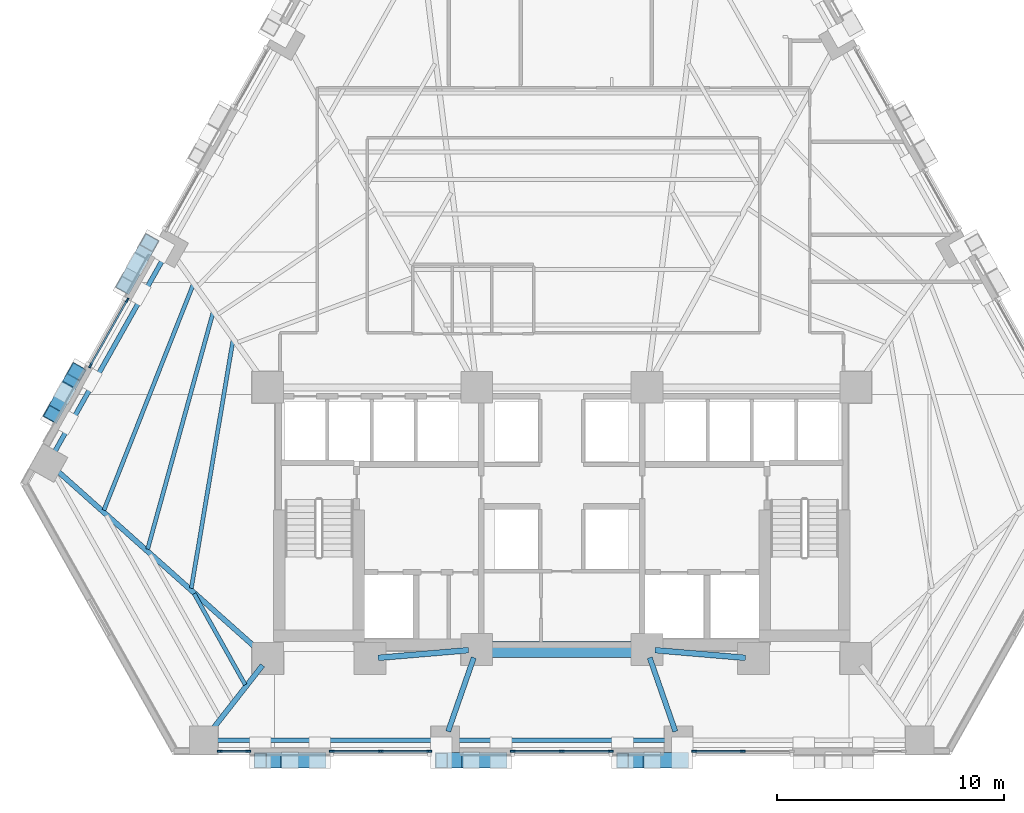
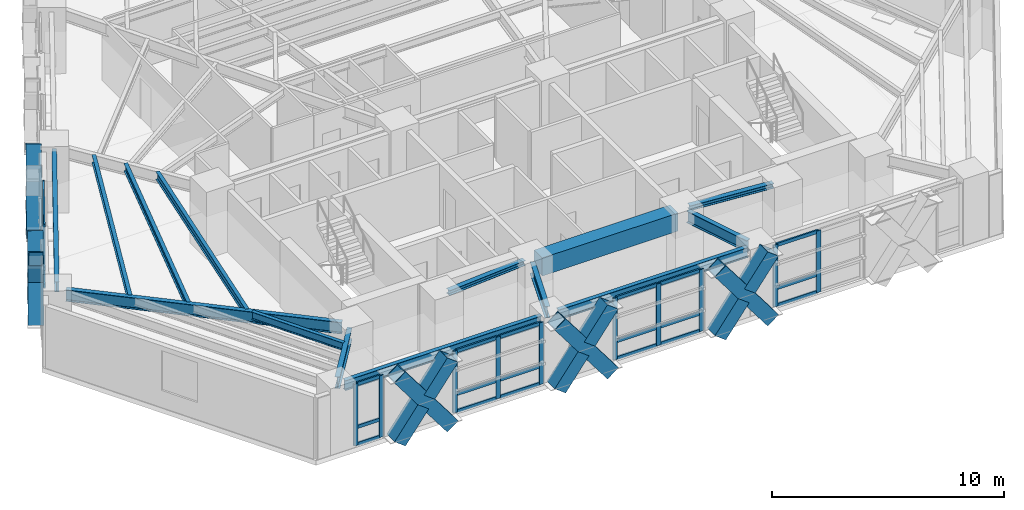
# One storey, part 2 of 13: 46 members, 14 beams, 5 elements without a shape of their own.
"""IFC4 building model written with IfcOpenShell, lengths in metres."""

from ifc_helpers import new_model, si_unit, direction, frame, origin, origin_2d, place, context, subcontext, project, spatial, rectangle, hollow_rectangle, i_section, extrude, material, material_profile, profile_set, type_object, element, aggregate, save


model = new_model("IFC4")

# Units and contexts
model_context = context("Model", 3, precision=1e-05, world=origin(), true_north=direction((0.0, 1.0)))
body_context = subcontext(model_context, "Body", "Model", "MODEL_VIEW")
ifc_project = project(units=[si_unit("LENGTHUNIT", "METRE"), si_unit("AREAUNIT", "SQUARE_METRE"), si_unit("VOLUMEUNIT", "CUBIC_METRE"), si_unit("PLANEANGLEUNIT", "RADIAN"), si_unit("MASSUNIT", "GRAM", prefix="KILO")], contexts=[model_context])

# Site, building, storey
site_placement = place(None, origin())
site = spatial("IfcSite", under=ifc_project, at=site_placement, CompositionType="ELEMENT")
building_placement = place(site_placement, origin())
building = spatial("IfcBuilding", under=site, at=building_placement, Name="Quenlor Broadcast Tower", CompositionType="ELEMENT")
storey_placement = place(building_placement, frame((0.0, 0.0, 31.10009765625)))
storey = spatial("IfcBuildingStorey", under=building, at=storey_placement, Name="L07", CompositionType="ELEMENT", Elevation=31.10009765625)

# Curtain wall, members
ifc_material_1 = material(Name="Architectural Terracotta and Low-E Glazing", Category="masonry")
curtain_wall_type = type_object("IfcCurtainWallType", Name="Unitised Terracotta Curtain Wall System Z1", PredefinedType="NOTDEFINED", material=ifc_material_1)
curtain_wall_1_placement = place(storey_placement, origin())
curtain_wall_1 = element("IfcCurtainWall", 1, at=curtain_wall_1_placement, inside=storey, type_object=curtain_wall_type, Name="L07 Curtain Wall CW1 (L07-SA-G2)", PredefinedType="NOTDEFINED")
ifc_material_2 = material(Name="Aluminium 6063-T6", Category="aluminium")
ifc_material_profile_1 = material_profile(ifc_material_2, rectangle(XDim=0.080078125, YDim=0.219970703125, at=origin_2d()))
ifc_profile_set_1 = profile_set([ifc_material_profile_1], Name="Aluminium 6063-T6 MULL80x220")
member_type_1 = type_object("IfcMemberType", Name="CW1 Aluminium Mullion MULL_CW1", PredefinedType="MULLION", material=ifc_profile_set_1)
member_1_placement = place(storey_placement, frame((7.982666015625, -20.840087890625, 0.0), z_axis=(0.0, 0.0, 1.0), x_axis=(0.0, -1.0, 0.0)))
member_1 = element("IfcMember", 2, at=member_1_placement, type_object=member_type_1, Name="CW1 mullion 2", PredefinedType="MULLION", context=body_context, shape_type="SweptSolid", body=[
    extrude(rectangle(XDim=0.080078125, YDim=0.219970703125, at=origin_2d()), origin(), (0.0, 0.0, 1.0), 3.25),
])
member_2_placement = place(storey_placement, frame((5.830810546875, -20.840087890625, 0.0), z_axis=(0.0, 0.0, 1.0), x_axis=(0.0, -1.0, 0.0)))
member_2 = element("IfcMember", 3, at=member_2_placement, type_object=member_type_1, Name="CW1 mullion 3", PredefinedType="MULLION", context=body_context, shape_type="SweptSolid", body=[
    extrude(rectangle(XDim=0.080078125, YDim=0.219970703125, at=origin_2d()), origin(), (0.0, 0.0, 1.0), 3.25),
])

curtain_wall_2_placement = place(storey_placement, origin())
curtain_wall_2 = element("IfcCurtainWall", 4, at=curtain_wall_2_placement, inside=storey, type_object=curtain_wall_type, Name="L07 Curtain Wall CW1 (L07-SC-G1)", PredefinedType="NOTDEFINED")
member_3_placement = place(storey_placement, frame((-5.830810546875, -20.840087890625, 0.0), z_axis=(0.0, 0.0, 1.0), x_axis=(0.0, -1.0, 0.0)))
member_3 = element("IfcMember", 5, at=member_3_placement, type_object=member_type_1, Name="CW1 mullion 1", PredefinedType="MULLION", context=body_context, shape_type="SweptSolid", body=[
    extrude(rectangle(XDim=0.080078125, YDim=0.219970703125, at=origin_2d()), origin(), (0.0, 0.0, 1.0), 3.25),
])
member_4_placement = place(storey_placement, frame((-7.982666015625, -20.840087890625, 0.0), z_axis=(0.0, 0.0, 1.0), x_axis=(0.0, -1.0, 0.0)))
member_4 = element("IfcMember", 6, at=member_4_placement, type_object=member_type_1, Name="CW1 mullion 2", PredefinedType="MULLION", context=body_context, shape_type="SweptSolid", body=[
    extrude(rectangle(XDim=0.080078125, YDim=0.219970703125, at=origin_2d()), origin(), (0.0, 0.0, 1.0), 3.25),
])
member_5_placement = place(storey_placement, frame((-10.134765625, -20.840087890625, 0.0), z_axis=(0.0, 0.0, 1.0), x_axis=(0.0, -1.0, 0.0)))
member_5 = element("IfcMember", 7, at=member_5_placement, type_object=member_type_1, Name="CW1 mullion 3", PredefinedType="MULLION", context=body_context, shape_type="SweptSolid", body=[
    extrude(rectangle(XDim=0.080078125, YDim=0.219970703125, at=origin_2d()), origin(), (0.0, 0.0, 1.0), 3.25),
])

curtain_wall_3_placement = place(storey_placement, origin())
curtain_wall_3 = element("IfcCurtainWall", 8, at=curtain_wall_3_placement, inside=storey, type_object=curtain_wall_type, Name="L07 Curtain Wall CW1 (L07-SC-G2)", PredefinedType="NOTDEFINED")
member_6_placement = place(storey_placement, frame((-13.806884765625, -20.840087890625, 0.0), z_axis=(0.0, 0.0, 1.0), x_axis=(0.0, -1.0, 0.0)))
member_6 = element("IfcMember", 9, at=member_6_placement, type_object=member_type_1, Name="CW1 mullion 1", PredefinedType="MULLION", context=body_context, shape_type="SweptSolid", body=[
    extrude(rectangle(XDim=0.080078125, YDim=0.219970703125, at=origin_2d()), origin(), (0.0, 0.0, 1.0), 3.25),
])
member_7_placement = place(storey_placement, frame((-15.0751953125, -20.840087890625, 0.0), z_axis=(0.0, 0.0, 1.0), x_axis=(0.0, -1.0, 0.0)))
member_7 = element("IfcMember", 10, at=member_7_placement, type_object=member_type_1, Name="CW1 mullion 2", PredefinedType="MULLION", context=body_context, shape_type="SweptSolid", body=[
    extrude(rectangle(XDim=0.080078125, YDim=0.219970703125, at=origin_2d()), origin(), (0.0, 0.0, 1.0), 3.25),
])

curtain_wall_4_placement = place(storey_placement, origin())
curtain_wall_4 = element("IfcCurtainWall", 11, at=curtain_wall_4_placement, inside=storey, type_object=curtain_wall_type, Name="L07 Curtain Wall CW1 (L07-S-G1)", PredefinedType="NOTDEFINED")
member_8_placement = place(storey_placement, frame((2.154296875, -20.840087890625, 0.0), z_axis=(0.0, 0.0, 1.0), x_axis=(0.0, -1.0, 0.0)))
member_8 = element("IfcMember", 12, at=member_8_placement, type_object=member_type_1, Name="CW1 mullion 1", PredefinedType="MULLION", context=body_context, shape_type="SweptSolid", body=[
    extrude(rectangle(XDim=0.080078125, YDim=0.219970703125, at=origin_2d()), origin(), (0.0, 0.0, 1.0), 3.25),
])
member_9_placement = place(storey_placement, frame((0.0, -20.840087890625, 0.0), z_axis=(0.0, 0.0, 1.0), x_axis=(0.0, -1.0, 0.0)))
member_9 = element("IfcMember", 13, at=member_9_placement, type_object=member_type_1, Name="CW1 mullion 2", PredefinedType="MULLION", context=body_context, shape_type="SweptSolid", body=[
    extrude(rectangle(XDim=0.080078125, YDim=0.219970703125, at=origin_2d()), origin(), (0.0, 0.0, 1.0), 3.25),
])
member_10_placement = place(storey_placement, frame((-2.154296875, -20.840087890625, 0.0), z_axis=(0.0, 0.0, 1.0), x_axis=(0.0, -1.0, 0.0)))
member_10 = element("IfcMember", 14, at=member_10_placement, type_object=member_type_1, Name="CW1 mullion 3", PredefinedType="MULLION", context=body_context, shape_type="SweptSolid", body=[
    extrude(rectangle(XDim=0.080078125, YDim=0.219970703125, at=origin_2d()), origin(), (0.0, 0.0, 1.0), 3.25),
])

curtain_wall_5_placement = place(storey_placement, origin())
curtain_wall_5 = element("IfcCurtainWall", 15, at=curtain_wall_5_placement, inside=storey, type_object=curtain_wall_type, Name="L07 Curtain Wall CW1 (L07-NWA-G1)", PredefinedType="NOTDEFINED")
member_11_placement = place(storey_placement, frame((-20.764892578125, -3.841552734375, 0.0), z_axis=(0.0, 0.0, 1.0), x_axis=(-0.871577906875, 0.49025702672, 0.0)))
member_11 = element("IfcMember", 16, at=member_11_placement, type_object=member_type_1, Name="CW1 mullion 1", PredefinedType="MULLION", context=body_context, shape_type="SweptSolid", body=[
    extrude(rectangle(XDim=0.080078125, YDim=0.219970703125, at=origin_2d()), origin(), (0.0, 0.0, 1.0), 3.25),
])
member_12_placement = place(storey_placement, frame((-19.146484375, -0.964599609375, 0.0), z_axis=(0.0, 0.0, 1.0), x_axis=(-0.871577906875, 0.49025702672, 0.0)))
member_12 = element("IfcMember", 17, at=member_12_placement, type_object=member_type_1, Name="CW1 mullion 2", PredefinedType="MULLION", context=body_context, shape_type="SweptSolid", body=[
    extrude(rectangle(XDim=0.080078125, YDim=0.219970703125, at=origin_2d()), origin(), (0.0, 0.0, 1.0), 3.25),
])

# Member
ifc_material_3 = material(Name="Aluminium 6063-T6", Category="aluminium")
ifc_material_profile_2 = material_profile(ifc_material_3, rectangle(XDim=0.080078125, YDim=0.179931640625, at=origin_2d()))
ifc_profile_set_2 = profile_set([ifc_material_profile_2], Name="Aluminium 6063-T6 TRAN80x180")
member_type_2 = type_object("IfcMemberType", Name="CW1 Aluminium Transom TRAN_CW1", PredefinedType="USERDEFINED", material=ifc_profile_set_2)
member_13_placement = place(storey_placement, frame((7.94287109375, -20.840087890625, 0.039794921875), z_axis=(-1.0, 0.0, 0.0), x_axis=(0.0, -1.0, 0.0)))
member_13 = element("IfcMember", 18, at=member_13_placement, type_object=member_type_2, Name="CW1 transom 2.1", ObjectType="TRANSOM", PredefinedType="USERDEFINED", context=body_context, shape_type="SweptSolid", body=[
    extrude(rectangle(XDim=0.080078125, YDim=0.179931640625, at=origin_2d()), origin(), (0.0, 0.0, 1.0), 2.072021484375),
])

member_14_placement = place(storey_placement, frame((7.94287109375, -20.840087890625, 0.949951171875), z_axis=(-1.0, 0.0, 0.0), x_axis=(0.0, -1.0, 0.0)))
member_14 = element("IfcMember", 19, at=member_14_placement, type_object=member_type_2, Name="CW1 transom 2.2", ObjectType="TRANSOM", PredefinedType="USERDEFINED", context=body_context, shape_type="SweptSolid", body=[
    extrude(rectangle(XDim=0.080078125, YDim=0.179931640625, at=origin_2d()), origin(), (0.0, 0.0, 1.0), 2.072021484375),
])

member_15_placement = place(storey_placement, frame((7.94287109375, -20.840087890625, 3.2099609375), z_axis=(-1.0, 0.0, 0.0), x_axis=(0.0, -1.0, 0.0)))
member_15 = element("IfcMember", 20, at=member_15_placement, type_object=member_type_2, Name="CW1 transom 2.3", ObjectType="TRANSOM", PredefinedType="USERDEFINED", context=body_context, shape_type="SweptSolid", body=[
    extrude(rectangle(XDim=0.080078125, YDim=0.179931640625, at=origin_2d()), origin(), (0.0, 0.0, 1.0), 2.072021484375),
])

aggregate(curtain_wall_1, [member_1, member_2, member_13, member_14, member_15])

member_16_placement = place(storey_placement, frame((-5.870849609375, -20.840087890625, 0.039794921875), z_axis=(-1.0, 0.0, 0.0), x_axis=(0.0, -1.0, 0.0)))
member_16 = element("IfcMember", 21, at=member_16_placement, type_object=member_type_2, Name="CW1 transom 1.1", ObjectType="TRANSOM", PredefinedType="USERDEFINED", context=body_context, shape_type="SweptSolid", body=[
    extrude(rectangle(XDim=0.080078125, YDim=0.179931640625, at=origin_2d()), origin(), (0.0, 0.0, 1.0), 2.072021484375),
])

member_17_placement = place(storey_placement, frame((-5.870849609375, -20.840087890625, 0.949951171875), z_axis=(-1.0, 0.0, 0.0), x_axis=(0.0, -1.0, 0.0)))
member_17 = element("IfcMember", 22, at=member_17_placement, type_object=member_type_2, Name="CW1 transom 1.2", ObjectType="TRANSOM", PredefinedType="USERDEFINED", context=body_context, shape_type="SweptSolid", body=[
    extrude(rectangle(XDim=0.080078125, YDim=0.179931640625, at=origin_2d()), origin(), (0.0, 0.0, 1.0), 2.072021484375),
])

member_18_placement = place(storey_placement, frame((-5.870849609375, -20.840087890625, 3.2099609375), z_axis=(-1.0, 0.0, 0.0), x_axis=(0.0, -1.0, 0.0)))
member_18 = element("IfcMember", 23, at=member_18_placement, type_object=member_type_2, Name="CW1 transom 1.3", ObjectType="TRANSOM", PredefinedType="USERDEFINED", context=body_context, shape_type="SweptSolid", body=[
    extrude(rectangle(XDim=0.080078125, YDim=0.179931640625, at=origin_2d()), origin(), (0.0, 0.0, 1.0), 2.072021484375),
])

member_19_placement = place(storey_placement, frame((-8.022705078125, -20.840087890625, 0.039794921875), z_axis=(-1.0, 0.0, 0.0), x_axis=(0.0, -1.0, 0.0)))
member_19 = element("IfcMember", 24, at=member_19_placement, type_object=member_type_2, Name="CW1 transom 2.1", ObjectType="TRANSOM", PredefinedType="USERDEFINED", context=body_context, shape_type="SweptSolid", body=[
    extrude(rectangle(XDim=0.080078125, YDim=0.179931640625, at=origin_2d()), origin(), (0.0, 0.0, 1.0), 2.072021484375),
])

member_20_placement = place(storey_placement, frame((-8.022705078125, -20.840087890625, 0.949951171875), z_axis=(-1.0, 0.0, 0.0), x_axis=(0.0, -1.0, 0.0)))
member_20 = element("IfcMember", 25, at=member_20_placement, type_object=member_type_2, Name="CW1 transom 2.2", ObjectType="TRANSOM", PredefinedType="USERDEFINED", context=body_context, shape_type="SweptSolid", body=[
    extrude(rectangle(XDim=0.080078125, YDim=0.179931640625, at=origin_2d()), origin(), (0.0, 0.0, 1.0), 2.072021484375),
])

member_21_placement = place(storey_placement, frame((-8.022705078125, -20.840087890625, 3.2099609375), z_axis=(-1.0, 0.0, 0.0), x_axis=(0.0, -1.0, 0.0)))
member_21 = element("IfcMember", 26, at=member_21_placement, type_object=member_type_2, Name="CW1 transom 2.3", ObjectType="TRANSOM", PredefinedType="USERDEFINED", context=body_context, shape_type="SweptSolid", body=[
    extrude(rectangle(XDim=0.080078125, YDim=0.179931640625, at=origin_2d()), origin(), (0.0, 0.0, 1.0), 2.072021484375),
])

aggregate(curtain_wall_2, [member_3, member_4, member_5, member_16, member_17, member_18, member_19, member_20, member_21])

member_22_placement = place(storey_placement, frame((-13.8466796875, -20.840087890625, 0.039794921875), z_axis=(-1.0, 0.0, 0.0), x_axis=(0.0, -1.0, 0.0)))
member_22 = element("IfcMember", 27, at=member_22_placement, type_object=member_type_2, Name="CW1 transom 1.1", ObjectType="TRANSOM", PredefinedType="USERDEFINED", context=body_context, shape_type="SweptSolid", body=[
    extrude(rectangle(XDim=0.080078125, YDim=0.179931640625, at=origin_2d()), origin(), (0.0, 0.0, 1.0), 1.1884765625),
])

member_23_placement = place(storey_placement, frame((-13.8466796875, -20.840087890625, 0.949951171875), z_axis=(-1.0, 0.0, 0.0), x_axis=(0.0, -1.0, 0.0)))
member_23 = element("IfcMember", 28, at=member_23_placement, type_object=member_type_2, Name="CW1 transom 1.2", ObjectType="TRANSOM", PredefinedType="USERDEFINED", context=body_context, shape_type="SweptSolid", body=[
    extrude(rectangle(XDim=0.080078125, YDim=0.179931640625, at=origin_2d()), origin(), (0.0, 0.0, 1.0), 1.1884765625),
])

member_24_placement = place(storey_placement, frame((-13.8466796875, -20.840087890625, 3.2099609375), z_axis=(-1.0, 0.0, 0.0), x_axis=(0.0, -1.0, 0.0)))
member_24 = element("IfcMember", 29, at=member_24_placement, type_object=member_type_2, Name="CW1 transom 1.3", ObjectType="TRANSOM", PredefinedType="USERDEFINED", context=body_context, shape_type="SweptSolid", body=[
    extrude(rectangle(XDim=0.080078125, YDim=0.179931640625, at=origin_2d()), origin(), (0.0, 0.0, 1.0), 1.1884765625),
])

aggregate(curtain_wall_3, [member_6, member_7, member_22, member_23, member_24])

member_25_placement = place(storey_placement, frame((2.1142578125, -20.840087890625, 0.039794921875), z_axis=(-1.0, 0.0, 0.0), x_axis=(0.0, -1.0, 0.0)))
member_25 = element("IfcMember", 30, at=member_25_placement, type_object=member_type_2, Name="CW1 transom 1.1", ObjectType="TRANSOM", PredefinedType="USERDEFINED", context=body_context, shape_type="SweptSolid", body=[
    extrude(rectangle(XDim=0.080078125, YDim=0.179931640625, at=origin_2d()), origin(), (0.0, 0.0, 1.0), 2.07421875),
])

member_26_placement = place(storey_placement, frame((2.1142578125, -20.840087890625, 0.949951171875), z_axis=(-1.0, 0.0, 0.0), x_axis=(0.0, -1.0, 0.0)))
member_26 = element("IfcMember", 31, at=member_26_placement, type_object=member_type_2, Name="CW1 transom 1.2", ObjectType="TRANSOM", PredefinedType="USERDEFINED", context=body_context, shape_type="SweptSolid", body=[
    extrude(rectangle(XDim=0.080078125, YDim=0.179931640625, at=origin_2d()), origin(), (0.0, 0.0, 1.0), 2.07421875),
])

member_27_placement = place(storey_placement, frame((2.1142578125, -20.840087890625, 3.2099609375), z_axis=(-1.0, 0.0, 0.0), x_axis=(0.0, -1.0, 0.0)))
member_27 = element("IfcMember", 32, at=member_27_placement, type_object=member_type_2, Name="CW1 transom 1.3", ObjectType="TRANSOM", PredefinedType="USERDEFINED", context=body_context, shape_type="SweptSolid", body=[
    extrude(rectangle(XDim=0.080078125, YDim=0.179931640625, at=origin_2d()), origin(), (0.0, 0.0, 1.0), 2.07421875),
])

member_28_placement = place(storey_placement, frame((-0.0400390625, -20.840087890625, 0.039794921875), z_axis=(-1.0, 0.0, 0.0), x_axis=(0.0, -1.0, 0.0)))
member_28 = element("IfcMember", 33, at=member_28_placement, type_object=member_type_2, Name="CW1 transom 2.1", ObjectType="TRANSOM", PredefinedType="USERDEFINED", context=body_context, shape_type="SweptSolid", body=[
    extrude(rectangle(XDim=0.080078125, YDim=0.179931640625, at=origin_2d()), origin(), (0.0, 0.0, 1.0), 2.07421875),
])

member_29_placement = place(storey_placement, frame((-0.0400390625, -20.840087890625, 0.949951171875), z_axis=(-1.0, 0.0, 0.0), x_axis=(0.0, -1.0, 0.0)))
member_29 = element("IfcMember", 34, at=member_29_placement, type_object=member_type_2, Name="CW1 transom 2.2", ObjectType="TRANSOM", PredefinedType="USERDEFINED", context=body_context, shape_type="SweptSolid", body=[
    extrude(rectangle(XDim=0.080078125, YDim=0.179931640625, at=origin_2d()), origin(), (0.0, 0.0, 1.0), 2.07421875),
])

member_30_placement = place(storey_placement, frame((-0.0400390625, -20.840087890625, 3.2099609375), z_axis=(-1.0, 0.0, 0.0), x_axis=(0.0, -1.0, 0.0)))
member_30 = element("IfcMember", 35, at=member_30_placement, type_object=member_type_2, Name="CW1 transom 2.3", ObjectType="TRANSOM", PredefinedType="USERDEFINED", context=body_context, shape_type="SweptSolid", body=[
    extrude(rectangle(XDim=0.080078125, YDim=0.179931640625, at=origin_2d()), origin(), (0.0, 0.0, 1.0), 2.07421875),
])

aggregate(curtain_wall_4, [member_8, member_9, member_10, member_25, member_26, member_27, member_28, member_29, member_30])

member_31_placement = place(storey_placement, frame((-20.7451171875, -3.806884765625, 0.039794921875), z_axis=(0.490250443683, 0.871581609758, 0.0), x_axis=(-0.871581609758, 0.490250443683, 0.0)))
member_31 = element("IfcMember", 36, at=member_31_placement, type_object=member_type_2, Name="CW1 transom 1.1", ObjectType="TRANSOM", PredefinedType="USERDEFINED", context=body_context, shape_type="SweptSolid", body=[
    extrude(rectangle(XDim=0.080078125, YDim=0.179931640625, at=origin_2d()), origin(), (0.0, 0.0, 1.0), 3.220947265625),
])

member_32_placement = place(storey_placement, frame((-20.7451171875, -3.806884765625, 0.949951171875), z_axis=(0.490250443683, 0.871581609758, 0.0), x_axis=(-0.871581609758, 0.490250443683, 0.0)))
member_32 = element("IfcMember", 37, at=member_32_placement, type_object=member_type_2, Name="CW1 transom 1.2", ObjectType="TRANSOM", PredefinedType="USERDEFINED", context=body_context, shape_type="SweptSolid", body=[
    extrude(rectangle(XDim=0.080078125, YDim=0.179931640625, at=origin_2d()), origin(), (0.0, 0.0, 1.0), 3.220947265625),
])

member_33_placement = place(storey_placement, frame((-20.7451171875, -3.806884765625, 3.2099609375), z_axis=(0.490250443683, 0.871581609758, 0.0), x_axis=(-0.871581609758, 0.490250443683, 0.0)))
member_33 = element("IfcMember", 38, at=member_33_placement, type_object=member_type_2, Name="CW1 transom 1.3", ObjectType="TRANSOM", PredefinedType="USERDEFINED", context=body_context, shape_type="SweptSolid", body=[
    extrude(rectangle(XDim=0.080078125, YDim=0.179931640625, at=origin_2d()), origin(), (0.0, 0.0, 1.0), 3.220947265625),
])

aggregate(curtain_wall_5, [member_11, member_12, member_31, member_32, member_33])

# Beams
ifc_material_4 = material(Name="Concrete C50/60", Category="concrete")
ifc_material_profile_3 = material_profile(ifc_material_4, rectangle(XDim=0.699951171875, YDim=0.949951171875, at=origin_2d()))
ifc_profile_set_3 = profile_set([ifc_material_profile_3], Name="Concrete C50/60 RCB700x950")
beam_type_1 = type_object("IfcBeamType", Name="Core Coupling Beam Concrete C50/60 700x950", PredefinedType="BEAM", material=ifc_profile_set_3)
beam_1_placement = place(storey_placement, frame((-3.389892578125, -16.35009765625, 2.77490234375), z_axis=(1.0, 0.0, 0.0), x_axis=(0.0, 1.0, 0.0)))
element("IfcBeam", 39, at=beam_1_placement, inside=storey, type_object=beam_type_1, Name="L07 Core Coupling Beam 6", PredefinedType="BEAM", context=body_context, shape_type="SweptSolid", body=[
    extrude(rectangle(XDim=0.699951171875, YDim=0.949951171875, at=origin_2d()), origin(), (0.0, 0.0, 1.0), 6.77978515625),
])
ifc_material_5 = material(Name="Steel S355", Category="steel")
ifc_material_profile_4 = material_profile(ifc_material_5, i_section(OverallWidth=0.25390625, OverallDepth=0.25390625, WebThickness=0.008544921875, FlangeThickness=0.01416015625, FilletRadius=0.013916015625, at=origin_2d()))
ifc_profile_set_4 = profile_set([ifc_material_profile_4], Name="Steel S355 250UC72.9")
beam_type_2 = type_object("IfcBeamType", Name="Core Opening Lintel Beam Steel S355 250UC72.9", PredefinedType="LINTEL", material=ifc_profile_set_4)
for number, where, z_axis, x_axis, name in (
    (40, (-8.09130859375, -16.719482421875, 3.123046875), (0.996399763903, 0.084779186679, 0.0), (-0.084779186679, 0.996399763903, 0.0), "L07 Core Opening Lintel Beam 4"),
    (41, (4.108642578125, -16.380615234375, 3.123046875), (0.996399763903, -0.084779186679, 0.0), (0.084779186679, 0.996399763903, 0.0), "L07 Core Opening Lintel Beam 5"),
):
    element("IfcBeam", number, at=place(storey_placement, frame(where, z_axis=z_axis, x_axis=x_axis)), inside=storey, type_object=beam_type_2, Name=name, PredefinedType="LINTEL", context=body_context, shape_type="SweptSolid", body=[
        extrude(i_section(OverallWidth=0.25390625, OverallDepth=0.25390625, WebThickness=0.008544921875, FlangeThickness=0.01416015625, FilletRadius=0.013916015625, at=origin_2d()), origin(), (0.0, 0.0, 1.0), 3.9970703125),
    ])

# Members
ifc_material_6 = material(Name="Steel S355", Category="steel")
ifc_material_profile_5 = material_profile(ifc_material_6, hollow_rectangle(XDim=0.679931640625, YDim=0.679931640625, WallThickness=0.034912109375, at=origin_2d()))
ifc_profile_set_5 = profile_set([ifc_material_profile_5], Name="Steel S355 RHS680x680x35")
member_type_3 = type_object("IfcMemberType", Name="Perimeter Diagonal Lattice Brace Z1 Steel S355 RHS680x35", PredefinedType="BRACE", material=ifc_profile_set_5)
member_34_placement = place(storey_placement, frame((5.304443359375, -21.235107421875, -0.1201171875), z_axis=(-0.60049964856, 0.0, 0.799625019668), x_axis=(0.0, -1.0, 0.0)))
element("IfcMember", 42, at=member_34_placement, inside=storey, type_object=member_type_3, Name="L07 Perimeter Diamond Lattice S-C2XA", PredefinedType="BRACE", context=body_context, shape_type="SweptSolid", body=[
    extrude(hollow_rectangle(XDim=0.679931640625, YDim=0.679931640625, WallThickness=0.034912109375, at=origin_2d()), origin(), (0.0, 0.0, 1.0), 4.376953125),
])
for number, where, z_axis, x_axis, name in (
    (43, (2.676025390625, -21.235107421875, -0.1201171875), (0.600503659272, 0.0, 0.799622007701), (0.0, 1.0, 0.0), "L07 Perimeter Diamond Lattice S-C2XB1"),
    (44, (4.140380859375, -21.235107421875, 1.829833984375), (0.600503659272, 0.0, 0.799622007701), (0.0, 1.0, 0.0), "L07 Perimeter Diamond Lattice S-C2XB2"),
):
    element("IfcMember", number, at=place(storey_placement, frame(where, z_axis=z_axis, x_axis=x_axis)), inside=storey, type_object=member_type_3, Name=name, PredefinedType="BRACE", context=body_context, shape_type="SweptSolid", body=[
        extrude(hollow_rectangle(XDim=0.679931640625, YDim=0.679931640625, WallThickness=0.034912109375, at=origin_2d()), origin(), (0.0, 0.0, 1.0), 1.9384765625),
    ])
member_35_placement = place(storey_placement, frame((-2.676025390625, -21.235107421875, -0.1201171875), z_axis=(-0.60049964856, 0.0, 0.799625019668), x_axis=(0.0, -1.0, 0.0)))
element("IfcMember", 45, at=member_35_placement, inside=storey, type_object=member_type_3, Name="L07 Perimeter Diamond Lattice S-C3XA", PredefinedType="BRACE", context=body_context, shape_type="SweptSolid", body=[
    extrude(hollow_rectangle(XDim=0.679931640625, YDim=0.679931640625, WallThickness=0.034912109375, at=origin_2d()), origin(), (0.0, 0.0, 1.0), 4.376953125),
])
for number, where, z_axis, x_axis, name in (
    (46, (-5.304443359375, -21.235107421875, -0.1201171875), (0.600503659272, 0.0, 0.799622007701), (0.0, 1.0, 0.0), "L07 Perimeter Diamond Lattice S-C3XB1"),
    (47, (-3.840087890625, -21.235107421875, 1.829833984375), (0.600503659272, 0.0, 0.799622007701), (0.0, 1.0, 0.0), "L07 Perimeter Diamond Lattice S-C3XB2"),
):
    element("IfcMember", number, at=place(storey_placement, frame(where, z_axis=z_axis, x_axis=x_axis)), inside=storey, type_object=member_type_3, Name=name, PredefinedType="BRACE", context=body_context, shape_type="SweptSolid", body=[
        extrude(hollow_rectangle(XDim=0.679931640625, YDim=0.679931640625, WallThickness=0.034912109375, at=origin_2d()), origin(), (0.0, 0.0, 1.0), 1.9384765625),
    ])
member_36_placement = place(storey_placement, frame((-10.656494140625, -21.235107421875, -0.1201171875), z_axis=(-0.60049964856, 0.0, 0.799625019668), x_axis=(0.0, -1.0, 0.0)))
element("IfcMember", 48, at=member_36_placement, inside=storey, type_object=member_type_3, Name="L07 Perimeter Diamond Lattice S-C4XA", PredefinedType="BRACE", context=body_context, shape_type="SweptSolid", body=[
    extrude(hollow_rectangle(XDim=0.679931640625, YDim=0.679931640625, WallThickness=0.034912109375, at=origin_2d()), origin(), (0.0, 0.0, 1.0), 4.376953125),
])
for number, where, z_axis, x_axis, name in (
    (49, (-13.284912109375, -21.235107421875, -0.1201171875), (0.600503659272, 0.0, 0.799622007701), (0.0, 1.0, 0.0), "L07 Perimeter Diamond Lattice S-C4XB1"),
    (50, (-11.820556640625, -21.235107421875, 1.829833984375), (0.600503659272, 0.0, 0.799622007701), (0.0, 1.0, 0.0), "L07 Perimeter Diamond Lattice S-C4XB2"),
):
    element("IfcMember", number, at=place(storey_placement, frame(where, z_axis=z_axis, x_axis=x_axis)), inside=storey, type_object=member_type_3, Name=name, PredefinedType="BRACE", context=body_context, shape_type="SweptSolid", body=[
        extrude(hollow_rectangle(XDim=0.679931640625, YDim=0.679931640625, WallThickness=0.034912109375, at=origin_2d()), origin(), (0.0, 0.0, 1.0), 1.9384765625),
    ])
member_37_placement = place(storey_placement, frame((-22.4248046875, -5.98681640625, -0.1201171875), z_axis=(0.256430888508, 0.455784649039, 0.8523517778), x_axis=(-0.871533027316, 0.490336804959, 0.0)))
element("IfcMember", 51, at=member_37_placement, inside=storey, type_object=member_type_3, Name="L07 Perimeter Diamond Lattice NW-C1XA", PredefinedType="BRACE", context=body_context, shape_type="SweptSolid", body=[
    extrude(hollow_rectangle(XDim=0.679931640625, YDim=0.679931640625, WallThickness=0.034912109375, at=origin_2d()), origin(), (0.0, 0.0, 1.0), 4.106201171875),
])
for number, where, z_axis, x_axis, name in (
    (52, (-21.371826171875, -4.115234375, -0.1201171875), (-0.256451721554, -0.455763724789, 0.852356698618), (0.871506382136, -0.490384161547, 0.0), "L07 Perimeter Diamond Lattice NW-C1XB1"),
    (53, (-21.96240234375, -5.1650390625, 1.843017578125), (-0.256451721554, -0.455763724789, 0.852356698618), (0.871506382136, -0.490384161547, 0.0), "L07 Perimeter Diamond Lattice NW-C1XB2"),
):
    element("IfcMember", number, at=place(storey_placement, frame(where, z_axis=z_axis, x_axis=x_axis)), inside=storey, type_object=member_type_3, Name=name, PredefinedType="BRACE", context=body_context, shape_type="SweptSolid", body=[
        extrude(hollow_rectangle(XDim=0.679931640625, YDim=0.679931640625, WallThickness=0.034912109375, at=origin_2d()), origin(), (0.0, 0.0, 1.0), 1.802978515625),
    ])
member_38_placement = place(storey_placement, frame((-19.22802734375, -0.3037109375, -0.1201171875), z_axis=(0.256430888508, 0.455784649039, 0.8523517778), x_axis=(-0.871533027316, 0.490336804959, 0.0)))
element("IfcMember", 54, at=member_38_placement, inside=storey, type_object=member_type_3, Name="L07 Perimeter Diamond Lattice NW-C2XA", PredefinedType="BRACE", context=body_context, shape_type="SweptSolid", body=[
    extrude(hollow_rectangle(XDim=0.679931640625, YDim=0.679931640625, WallThickness=0.034912109375, at=origin_2d()), origin(), (0.0, 0.0, 1.0), 4.106201171875),
])

# Beams
ifc_material_7 = material(Name="Steel S355", Category="steel")
ifc_material_profile_6 = material_profile(ifc_material_7, i_section(OverallWidth=0.208984375, OverallDepth=0.532958984375, WebThickness=0.01025390625, FlangeThickness=0.015625, FilletRadius=0.013916015625, at=origin_2d()))
ifc_profile_set_6 = profile_set([ifc_material_profile_6], Name="Steel S355 530UB92.4")
beam_type_3 = type_object("IfcBeamType", Name="Perimeter Spandrel Beam Z1 Steel S355 530UB92.4", PredefinedType="SPANDREL", material=ifc_profile_set_6)
beam_2_placement = place(storey_placement, frame((-15.35498046875, -20.35009765625, 2.9833984375), z_axis=(1.0, 0.0, 0.0), x_axis=(0.0, 1.0, 0.0)))
element("IfcBeam", 55, at=beam_2_placement, inside=storey, type_object=beam_type_3, Name="L07 Spandrel Beam S1-S2", PredefinedType="SPANDREL", context=body_context, shape_type="SweptSolid", body=[
    extrude(i_section(OverallWidth=0.208984375, OverallDepth=0.532958984375, WebThickness=0.01025390625, FlangeThickness=0.015625, FilletRadius=0.013916015625, at=origin_2d()), origin(), (0.0, 0.0, 1.0), 9.80419921875),
])
beam_3_placement = place(storey_placement, frame((-4.730712890625, -20.35009765625, 2.9833984375), z_axis=(1.0, 0.0, 0.0), x_axis=(0.0, 1.0, 0.0)))
element("IfcBeam", 56, at=beam_3_placement, inside=storey, type_object=beam_type_3, Name="L07 Spandrel Beam S2-S3", PredefinedType="SPANDREL", context=body_context, shape_type="SweptSolid", body=[
    extrude(i_section(OverallWidth=0.208984375, OverallDepth=0.532958984375, WebThickness=0.01025390625, FlangeThickness=0.015625, FilletRadius=0.013916015625, at=origin_2d()), origin(), (0.0, 0.0, 1.0), 9.46142578125),
])
beam_4_placement = place(storey_placement, frame((-17.5048828125, 0.954345703125, 2.9833984375), z_axis=(-0.490257767622, -0.871577490121, 0.0), x_axis=(0.871577490121, -0.490257767622, 0.0)))
element("IfcBeam", 57, at=beam_4_placement, inside=storey, type_object=beam_type_3, Name="L07 Spandrel Beam NW3-NW4", PredefinedType="SPANDREL", context=body_context, shape_type="SweptSolid", body=[
    extrude(i_section(OverallWidth=0.208984375, OverallDepth=0.532958984375, WebThickness=0.01025390625, FlangeThickness=0.015625, FilletRadius=0.013916015625, at=origin_2d()), origin(), (0.0, 0.0, 1.0), 10.015380859375),
])
ifc_material_8 = material(Name="Steel S355", Category="steel")
ifc_material_profile_7 = material_profile(ifc_material_8, i_section(OverallWidth=0.177978515625, OverallDepth=0.406494140625, WebThickness=0.0078125, FlangeThickness=0.0126953125, FilletRadius=0.011474609375, at=origin_2d()))
ifc_profile_set_7 = profile_set([ifc_material_profile_7], Name="Steel S355 410UB59.7")
beam_type_4 = type_object("IfcBeamType", Name="Tower Composite Joist Z1 Steel S355 410UB59.7", PredefinedType="JOIST", material=ifc_profile_set_7)
beam_5_placement = place(storey_placement, frame((-16.31982421875, -13.65478515625, 3.046630859375), z_axis=(0.16559360599, 0.986194077074, 0.0), x_axis=(-0.986194077074, 0.16559360599, 0.0)))
element("IfcBeam", 58, at=beam_5_placement, inside=storey, type_object=beam_type_4, Name="L07 Secondary Composite Joist 13", PredefinedType="JOIST", context=body_context, shape_type="SweptSolid", body=[
    extrude(i_section(OverallWidth=0.177978515625, OverallDepth=0.406494140625, WebThickness=0.0078125, FlangeThickness=0.0126953125, FilletRadius=0.011474609375, at=origin_2d()), origin(), (0.0, 0.0, 1.0), 11.06787109375),
])
beam_6_placement = place(storey_placement, frame((-18.2451171875, -11.93310546875, 3.046630859375), z_axis=(0.266390054368, 0.963865311615, 0.0), x_axis=(-0.963865311615, 0.266390054368, 0.0)))
element("IfcBeam", 59, at=beam_6_placement, inside=storey, type_object=beam_type_4, Name="L07 Secondary Composite Joist 14", PredefinedType="JOIST", context=body_context, shape_type="SweptSolid", body=[
    extrude(i_section(OverallWidth=0.177978515625, OverallDepth=0.406494140625, WebThickness=0.0078125, FlangeThickness=0.0126953125, FilletRadius=0.011474609375, at=origin_2d()), origin(), (0.0, 0.0, 1.0), 10.80810546875),
])
beam_7_placement = place(storey_placement, frame((-20.170166015625, -10.212158203125, 3.046630859375), z_axis=(0.367884833597, 0.929871361646, 0.0), x_axis=(-0.929871361646, 0.367884833597, 0.0)))
element("IfcBeam", 60, at=beam_7_placement, inside=storey, type_object=beam_type_4, Name="L07 Secondary Composite Joist 15", PredefinedType="JOIST", context=body_context, shape_type="SweptSolid", body=[
    extrude(i_section(OverallWidth=0.177978515625, OverallDepth=0.406494140625, WebThickness=0.0078125, FlangeThickness=0.0126953125, FilletRadius=0.011474609375, at=origin_2d()), origin(), (0.0, 0.0, 1.0), 10.669921875),
])
beam_8_placement = place(storey_placement, frame((-13.9462890625, -17.904296875, 3.046630859375), z_axis=(-0.489062021968, 0.872249011848, 0.0), x_axis=(-0.872249011848, -0.489062021968, 0.0)))
element("IfcBeam", 61, at=beam_8_placement, inside=storey, type_object=beam_type_4, Name="L07 Secondary Composite Joist 19", PredefinedType="JOIST", context=body_context, shape_type="SweptSolid", body=[
    extrude(i_section(OverallWidth=0.177978515625, OverallDepth=0.406494140625, WebThickness=0.0078125, FlangeThickness=0.0126953125, FilletRadius=0.011474609375, at=origin_2d()), origin(), (0.0, 0.0, 1.0), 4.6025390625),
])
ifc_material_9 = material(Name="Steel S355", Category="steel")
ifc_material_profile_8 = material_profile(ifc_material_9, i_section(OverallWidth=0.22900390625, OverallDepth=0.611572265625, WebThickness=0.011962890625, FlangeThickness=0.01953125, FilletRadius=0.013916015625, at=origin_2d()))
ifc_profile_set_8 = profile_set([ifc_material_profile_8], Name="Steel S355 610UB125")
beam_type_5 = type_object("IfcBeamType", Name="Tower Primary Floor Beam Z1 Steel S355 610UB125", PredefinedType="BEAM", material=ifc_profile_set_8)
beam_9_placement = place(storey_placement, frame((-15.512451171875, -20.027099609375, 2.944091796875), z_axis=(0.615968610193, 0.78777069713, 0.0), x_axis=(-0.78777069713, 0.615968610193, 0.0)))
element("IfcBeam", 62, at=beam_9_placement, inside=storey, type_object=beam_type_5, Name="L07 Primary Radial Beam S1", PredefinedType="BEAM", context=body_context, shape_type="SweptSolid", body=[
    extrude(i_section(OverallWidth=0.22900390625, OverallDepth=0.611572265625, WebThickness=0.011962890625, FlangeThickness=0.01953125, FilletRadius=0.013916015625, at=origin_2d()), origin(), (0.0, 0.0, 1.0), 3.780029296875),
])
for number, where, z_axis, x_axis, name in (
    (63, (-5.006103515625, -19.962646484375, 2.944091796875), (0.328427161327, 0.944529300606, 0.0), (-0.944529300606, 0.328427161327, 0.0), "L07 Primary Radial Beam S2"),
    (64, (5.006103515625, -19.962646484375, 2.944091796875), (-0.328427161327, 0.944529300606, 0.0), (-0.944529300606, -0.328427161327, 0.0), "L07 Primary Radial Beam S3"),
):
    element("IfcBeam", number, at=place(storey_placement, frame(where, z_axis=z_axis, x_axis=x_axis)), inside=storey, type_object=beam_type_5, Name=name, PredefinedType="BEAM", context=body_context, shape_type="SweptSolid", body=[
        extrude(i_section(OverallWidth=0.22900390625, OverallDepth=0.611572265625, WebThickness=0.011962890625, FlangeThickness=0.01953125, FilletRadius=0.013916015625, at=origin_2d()), origin(), (0.0, 0.0, 1.0), 3.44482421875),
    ])
beam_10_placement = place(storey_placement, frame((-22.31005859375, -8.40478515625, 2.944091796875), z_axis=(0.746413754585, -0.665482161268, 0.0), x_axis=(0.665482161268, 0.746413754585, 0.0)))
element("IfcBeam", 65, at=beam_10_placement, inside=storey, type_object=beam_type_5, Name="L07 Primary Radial Beam NW4", PredefinedType="BEAM", context=body_context, shape_type="SweptSolid", body=[
    extrude(i_section(OverallWidth=0.22900390625, OverallDepth=0.611572265625, WebThickness=0.011962890625, FlangeThickness=0.01953125, FilletRadius=0.013916015625, at=origin_2d()), origin(), (0.0, 0.0, 1.0), 12.159912109375),
])

save(model, "model.ifc")
